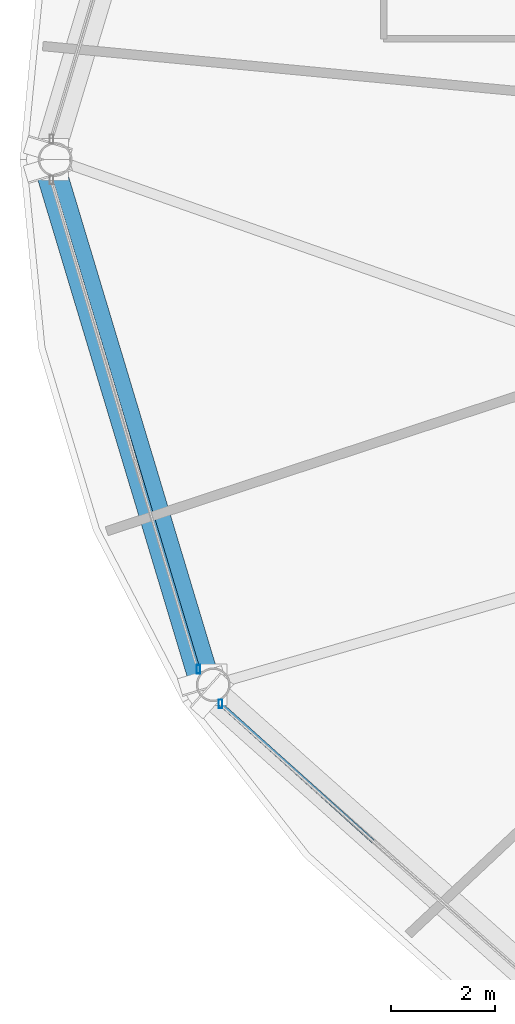
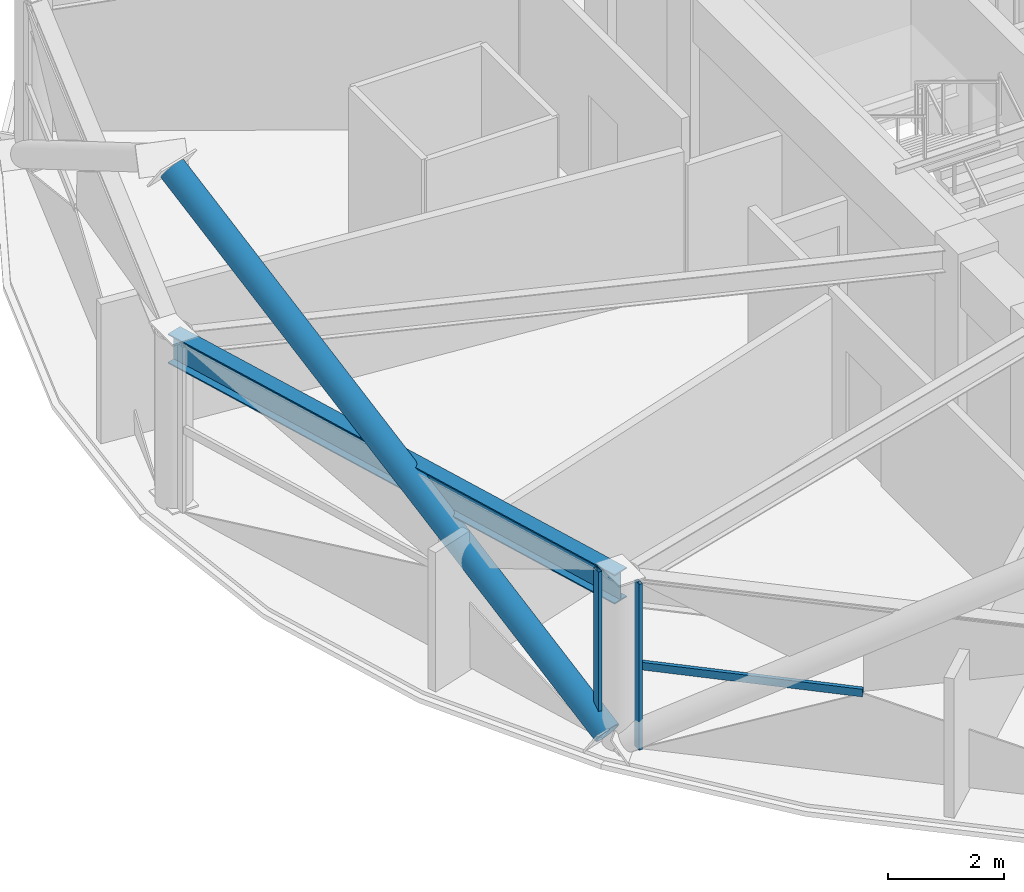
# One storey, part 3 of 30: 4 members, 1 beam, 2 elements without a shape of their own.
"""IFC4 building model written with IfcOpenShell, lengths in metres."""

from ifc_helpers import new_model, si_unit, direction, frame, origin, origin_2d, place, context, subcontext, project, spatial, hollow_rectangle, hollow_circle, i_section, extrude, material, layer, layer_set, material_profile, profile_set, type_object, element, aggregate, save


model = new_model("IFC4")

# Units and contexts
model_context = context("Model", 3, precision=1e-05, world=origin(), true_north=direction((0.0, 1.0)))
body_context = subcontext(model_context, "Body", "Model", "MODEL_VIEW")
ifc_project = project(units=[si_unit("LENGTHUNIT", "METRE"), si_unit("AREAUNIT", "SQUARE_METRE"), si_unit("VOLUMEUNIT", "CUBIC_METRE"), si_unit("PLANEANGLEUNIT", "RADIAN"), si_unit("MASSUNIT", "GRAM", prefix="KILO")], contexts=[model_context])

# Site, building, storey
site_placement = place(None, origin())
site = spatial("IfcSite", under=ifc_project, at=site_placement, CompositionType="ELEMENT")
building_placement = place(site_placement, origin())
building = spatial("IfcBuilding", under=site, at=building_placement, Name="Vantalir Tower", CompositionType="ELEMENT")
storey_placement = place(building_placement, frame((0.0, 0.0, 189.89990234375)))
storey = spatial("IfcBuildingStorey", under=building, at=storey_placement, Name="L47", CompositionType="ELEMENT", Elevation=189.89990234375)

# Beam
ifc_material_1 = material(Name="Steel S460", Category="steel")
ifc_material_profile_1 = material_profile(ifc_material_1, i_section(OverallWidth=0.306884765625, OverallDepth=0.6201171875, WebThickness=0.01416015625, FlangeThickness=0.023681640625, at=origin_2d()), Name="Steel S460")
ifc_profile_set_1 = profile_set([ifc_material_profile_1], Name="Steel S460")
beam_type = type_object("IfcBeamType", Name="BM-RG-610x305", PredefinedType="USERDEFINED", material=ifc_profile_set_1)
beam_placement = place(storey_placement, frame((8.823974609375, 25.0, 3.260009765625), z_axis=(0.288208317462, -0.957567734286, 0.0), x_axis=(0.957567734286, 0.288208317462, 0.0)))
element("IfcBeam", 1, at=beam_placement, inside=storey, type_object=beam_type, Name="L47 Circumferential Ring Girder 07", ObjectType="GIRDER", PredefinedType="USERDEFINED", context=body_context, shape_type="SweptSolid", body=[
    extrude(i_section(OverallWidth=0.306884765625, OverallDepth=0.6201171875, WebThickness=0.01416015625, FlangeThickness=0.023681640625, at=origin_2d()), origin(), (0.0, 0.0, 1.0), 10.541259765625),
])

# Curtain wall, member
ifc_material_2 = material(Name="Champagne-silver PVDF aluminium and double-silver Low-E glass", Category="aluminium")
ifc_layer = layer(ifc_material_2, 0.2099609375)
ifc_layer_set = layer_set([ifc_layer], Name="Champagne-silver PVDF aluminium and double-silver Low-E glass")
curtain_wall_type = type_object("IfcCurtainWallType", Name="CW-DIAMOND-Z3", PredefinedType="USERDEFINED", material=ifc_layer_set)
curtain_wall_1_placement = place(storey_placement, origin())
curtain_wall_1 = element("IfcCurtainWall", 2, at=curtain_wall_1_placement, inside=storey, type_object=curtain_wall_type, Name="L47 Quilted Pyramid-Diamond Curtain Wall S07", ObjectType="UNITISED CURTAIN WALL", PredefinedType="USERDEFINED")
ifc_material_3 = material(Name="Champagne-silver PVDF aluminium 6063-T6", Category="aluminium")
ifc_material_profile_2 = material_profile(ifc_material_3, hollow_rectangle(XDim=0.070068359375, YDim=0.1650390625, WallThickness=0.00390625, at=origin_2d()), Name="Champagne-silver PVDF aluminium 6063-T6")
ifc_profile_set_2 = profile_set([ifc_material_profile_2], Name="Champagne-silver PVDF aluminium 6063-T6")
member_type_1 = type_object("IfcMemberType", Name="CWM-165x70", PredefinedType="MULLION", material=ifc_profile_set_2)
member_1_placement = place(storey_placement, frame((11.5791015625, 15.2041015625, 0.045166015625), z_axis=(0.0, 0.0, 1.0), x_axis=(1.0, 0.0, 0.0)))
member_1 = element("IfcMember", 3, at=member_1_placement, type_object=member_type_1, Name="CW-L47-S07 Mullion 2", PredefinedType="MULLION", context=body_context, shape_type="SweptSolid", body=[
    extrude(hollow_rectangle(XDim=0.070068359375, YDim=0.1650390625, WallThickness=0.00390625, at=origin_2d()), origin(), (0.0, 0.0, 1.0), 3.47998046875),
])
aggregate(curtain_wall_1, [member_1])

# Curtain wall, members
curtain_wall_2_placement = place(storey_placement, origin())
curtain_wall_2 = element("IfcCurtainWall", 4, at=curtain_wall_2_placement, inside=storey, type_object=curtain_wall_type, Name="L47 Quilted Pyramid-Diamond Curtain Wall S08", ObjectType="UNITISED CURTAIN WALL", PredefinedType="USERDEFINED")
member_2_placement = place(storey_placement, frame((12.0029296875, 14.5380859375, 0.045166015625), z_axis=(0.0, 0.0, 1.0), x_axis=(1.0, 0.0, 0.0)))
member_2 = element("IfcMember", 5, at=member_2_placement, type_object=member_type_1, Name="CW-L47-S08 Mullion 1", PredefinedType="MULLION", context=body_context, shape_type="SweptSolid", body=[
    extrude(hollow_rectangle(XDim=0.070068359375, YDim=0.1650390625, WallThickness=0.00390625, at=origin_2d()), origin(), (0.0, 0.0, 1.0), 3.47998046875),
])
ifc_material_profile_3 = material_profile(ifc_material_3, hollow_rectangle(XDim=0.074951171875, YDim=0.159912109375, WallThickness=0.00390625, at=origin_2d()), Name="Champagne-silver PVDF aluminium 6063-T6")
ifc_profile_set_3 = profile_set([ifc_material_profile_3], Name="Champagne-silver PVDF aluminium 6063-T6")
member_type_2 = type_object("IfcMemberType", Name="CWT-160x75", PredefinedType="USERDEFINED", material=ifc_profile_set_3)
member_3_placement = place(storey_placement, frame((12.0029296875, 14.5380859375, 1.78515625), z_axis=(0.74253350764, -0.669808920537, 0.0), x_axis=(0.669808920537, 0.74253350764, 0.0)))
member_3 = element("IfcMember", 6, at=member_3_placement, type_object=member_type_2, Name="CW-L47-S08 Pyramid Fold Ridge Transom", ObjectType="TRANSOM", PredefinedType="USERDEFINED", context=body_context, shape_type="SweptSolid", body=[
    extrude(hollow_rectangle(XDim=0.074951171875, YDim=0.159912109375, WallThickness=0.00390625, at=origin_2d()), origin(), (0.0, 0.0, 1.0), 3.944580078125),
])
aggregate(curtain_wall_2, [member_2, member_3])

# Member
ifc_material_profile_4 = material_profile(ifc_material_1, hollow_circle(Radius=0.25, WallThickness=0.031982421875, at=origin_2d()), Name="Steel S460")
ifc_profile_set_4 = profile_set([ifc_material_profile_4], Name="Steel S460")
member_type_3 = type_object("IfcMemberType", Name="MEM-DB-500x32", PredefinedType="BRACE", material=ifc_profile_set_4)
member_4_placement = place(storey_placement, frame((11.64404296875, 14.986083984375, 0.203125), z_axis=(-0.238787592066, 0.794512876506, 0.558327659123), x_axis=(-0.957682274061, -0.287827486437, 0.0)))
element("IfcMember", 7, at=member_4_placement, inside=storey, type_object=member_type_3, Name="L47 Perimeter S460 Diagrid Brace R22R", PredefinedType="BRACE", context=body_context, shape_type="SweptSolid", body=[
    extrude(hollow_circle(Radius=0.25, WallThickness=0.031982421875, at=origin_2d()), origin(), (0.0, 0.0, 1.0), 12.383544921875),
])

save(model, "model.ifc")
